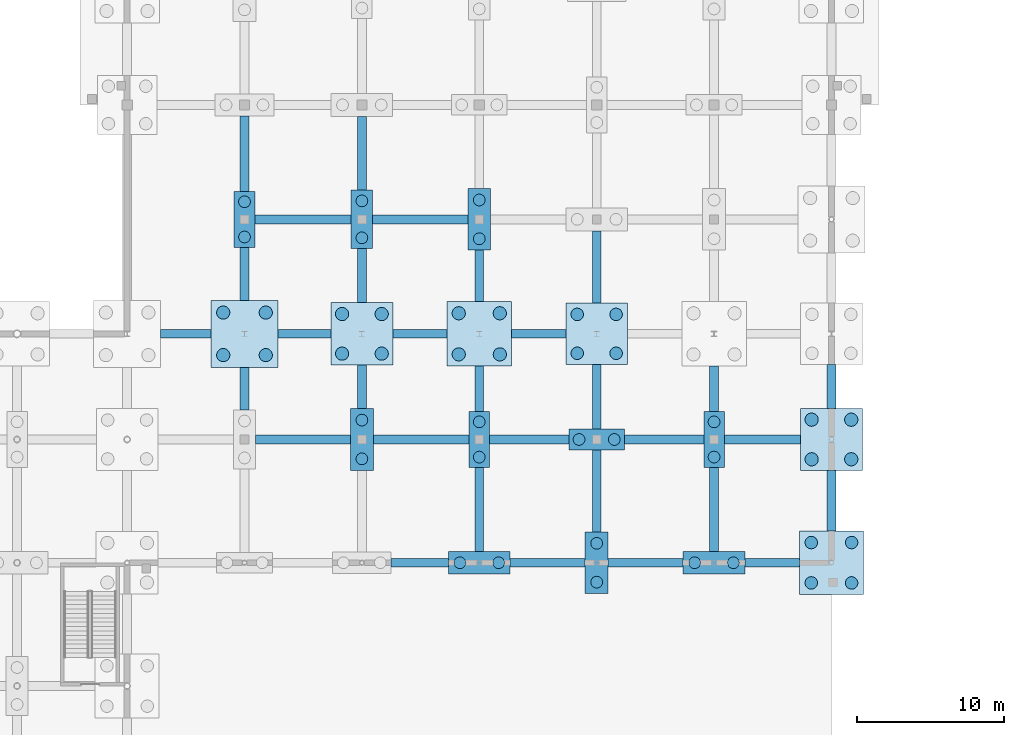
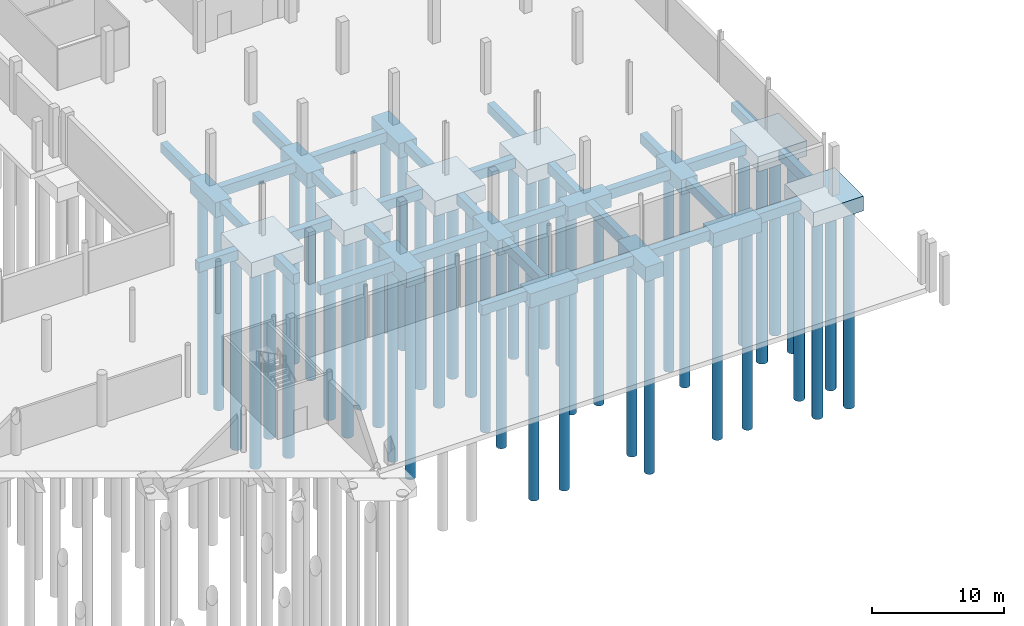
# One storey, part 4 of 44: 47 footings, 44 piles.
"""IFC4 building model written with IfcOpenShell, lengths in metres."""

from ifc_helpers import new_model, si_unit, direction, frame, origin, origin_2d, place, context, subcontext, project, spatial, polyline, rectangle, circle, outline, extrude, material, material_profile, profile_set, type_object, element, save


model = new_model("IFC4")

# Units and contexts
model_context = context("Model", 3, precision=1e-05, world=origin(), true_north=direction((0.0, 1.0)))
body_context = subcontext(model_context, "Body", "Model", "MODEL_VIEW")
ifc_project = project(units=[si_unit("LENGTHUNIT", "METRE"), si_unit("AREAUNIT", "SQUARE_METRE"), si_unit("VOLUMEUNIT", "CUBIC_METRE"), si_unit("PLANEANGLEUNIT", "RADIAN"), si_unit("MASSUNIT", "GRAM", prefix="KILO")], contexts=[model_context])

# Site, building, storey
site_placement = place(None, origin())
site = spatial("IfcSite", under=ifc_project, at=site_placement, CompositionType="ELEMENT")
building_placement = place(site_placement, origin())
building = spatial("IfcBuilding", under=site, at=building_placement, Name="Yukiwa Park Conservatory and Herbarium", CompositionType="ELEMENT")
storey_placement = place(building_placement, frame((0.0, 0.0, -4.800048828125)))
storey = spatial("IfcBuildingStorey", under=building, at=storey_placement, Name="B1", CompositionType="ELEMENT", Elevation=-4.800048828125)

# Footings
ifc_material_1 = material(Name="Concrete C35", Category="concrete")
footing_type_1 = type_object("IfcFootingType", Name="FT-BEAM-600X900", PredefinedType="FOOTING_BEAM", material=ifc_material_1)
footing_1_placement = place(storey_placement, frame((0.0, 0.0, -1.349853515625)))
element("IfcFooting", 1, at=footing_1_placement, inside=storey, type_object=footing_type_1, Name="Foundation tie beam X-27", PredefinedType="FOOTING_BEAM", context=body_context, shape_type="SweptSolid", body=[
    extrude(outline(polyline([(78.0, 15.300048828125), (81.89990234375, 15.300048828125), (81.89990234375, 15.89990234375), (78.0, 15.89990234375), (78.0, 15.300048828125)])), origin(), (0.0, 0.0, 1.0), 0.89990234375),
])
footing_2_placement = place(storey_placement, frame((0.0, 0.0, -1.349853515625)))
element("IfcFooting", 2, at=footing_2_placement, inside=storey, type_object=footing_type_1, Name="Foundation tie beam X-28", PredefinedType="FOOTING_BEAM", context=body_context, shape_type="SweptSolid", body=[
    extrude(outline(polyline([(86.10009765625, 15.300048828125), (91.219970703125, 15.300048828125), (91.219970703125, 15.89990234375), (86.10009765625, 15.89990234375), (86.10009765625, 15.300048828125)])), origin(), (0.0, 0.0, 1.0), 0.89990234375),
])
footing_3_placement = place(storey_placement, frame((0.0, 0.0, -1.349853515625)))
element("IfcFooting", 3, at=footing_3_placement, inside=storey, type_object=footing_type_1, Name="Foundation tie beam X-29", PredefinedType="FOOTING_BEAM", context=body_context, shape_type="SweptSolid", body=[
    extrude(outline(polyline([(92.780029296875, 15.300048828125), (97.89990234375, 15.300048828125), (97.89990234375, 15.89990234375), (92.780029296875, 15.89990234375), (92.780029296875, 15.300048828125)])), origin(), (0.0, 0.0, 1.0), 0.89990234375),
])
footing_4_placement = place(storey_placement, frame((0.0, 0.0, -1.349853515625)))
element("IfcFooting", 4, at=footing_4_placement, inside=storey, type_object=footing_type_1, Name="Foundation tie beam X-30", PredefinedType="FOOTING_BEAM", context=body_context, shape_type="SweptSolid", body=[
    extrude(outline(polyline([(102.10009765625, 15.300048828125), (105.820068359375, 15.300048828125), (105.820068359375, 15.89990234375), (102.10009765625, 15.89990234375), (102.10009765625, 15.300048828125)])), origin(), (0.0, 0.0, 1.0), 0.89990234375),
])
footing_5_placement = place(storey_placement, frame((0.0, 0.0, -1.349853515625)))
element("IfcFooting", 5, at=footing_5_placement, inside=storey, type_object=footing_type_1, Name="Foundation tie beam X-40", PredefinedType="FOOTING_BEAM", context=body_context, shape_type="SweptSolid", body=[
    extrude(outline(polyline([(68.739990234375, 23.699951171875), (75.219970703125, 23.699951171875), (75.219970703125, 24.300048828125), (68.739990234375, 24.300048828125), (68.739990234375, 23.699951171875)])), origin(), (0.0, 0.0, 1.0), 0.89990234375),
])
footing_6_placement = place(storey_placement, frame((0.0, 0.0, -1.349853515625)))
element("IfcFooting", 6, at=footing_6_placement, inside=storey, type_object=footing_type_1, Name="Foundation tie beam X-41", PredefinedType="FOOTING_BEAM", context=body_context, shape_type="SweptSolid", body=[
    extrude(outline(polyline([(76.780029296875, 23.699951171875), (83.300048828125, 23.699951171875), (83.300048828125, 24.300048828125), (76.780029296875, 24.300048828125), (76.780029296875, 23.699951171875)])), origin(), (0.0, 0.0, 1.0), 0.89990234375),
])
footing_7_placement = place(storey_placement, frame((0.0, 0.0, -1.349853515625)))
element("IfcFooting", 7, at=footing_7_placement, inside=storey, type_object=footing_type_1, Name="Foundation tie beam X-42", PredefinedType="FOOTING_BEAM", context=body_context, shape_type="SweptSolid", body=[
    extrude(outline(polyline([(84.699951171875, 23.699951171875), (90.10009765625, 23.699951171875), (90.10009765625, 24.300048828125), (84.699951171875, 24.300048828125), (84.699951171875, 23.699951171875)])), origin(), (0.0, 0.0, 1.0), 0.89990234375),
])
footing_8_placement = place(storey_placement, frame((0.0, 0.0, -1.349853515625)))
element("IfcFooting", 8, at=footing_8_placement, inside=storey, type_object=footing_type_1, Name="Foundation tie beam X-43", PredefinedType="FOOTING_BEAM", context=body_context, shape_type="SweptSolid", body=[
    extrude(outline(polyline([(93.89990234375, 23.699951171875), (99.300048828125, 23.699951171875), (99.300048828125, 24.300048828125), (93.89990234375, 24.300048828125), (93.89990234375, 23.699951171875)])), origin(), (0.0, 0.0, 1.0), 0.89990234375),
])
footing_9_placement = place(storey_placement, frame((0.0, 0.0, -1.349853515625)))
element("IfcFooting", 9, at=footing_9_placement, inside=storey, type_object=footing_type_1, Name="Foundation tie beam X-44", PredefinedType="FOOTING_BEAM", context=body_context, shape_type="SweptSolid", body=[
    extrude(outline(polyline([(100.699951171875, 23.699951171875), (105.8798828125, 23.699951171875), (105.8798828125, 24.300048828125), (100.699951171875, 24.300048828125), (100.699951171875, 23.699951171875)])), origin(), (0.0, 0.0, 1.0), 0.89990234375),
])
footing_10_placement = place(storey_placement, frame((0.0, 0.0, -1.349853515625)))
element("IfcFooting", 10, at=footing_10_placement, inside=storey, type_object=footing_type_1, Name="Foundation tie beam X-53", PredefinedType="FOOTING_BEAM", context=body_context, shape_type="SweptSolid", body=[
    extrude(outline(polyline([(62.280029296875, 30.89990234375), (65.719970703125, 30.89990234375), (65.719970703125, 31.5), (62.280029296875, 31.5), (62.280029296875, 30.89990234375)])), origin(), (0.0, 0.0, 1.0), 0.89990234375),
])
footing_11_placement = place(storey_placement, frame((0.0, 0.0, -1.349853515625)))
element("IfcFooting", 11, at=footing_11_placement, inside=storey, type_object=footing_type_1, Name="Foundation tie beam X-54", PredefinedType="FOOTING_BEAM", context=body_context, shape_type="SweptSolid", body=[
    extrude(outline(polyline([(70.280029296875, 30.89990234375), (73.8798828125, 30.89990234375), (73.8798828125, 31.5), (70.280029296875, 31.5), (70.280029296875, 30.89990234375)])), origin(), (0.0, 0.0, 1.0), 0.89990234375),
])
footing_12_placement = place(storey_placement, frame((0.0, 0.0, -1.349853515625)))
element("IfcFooting", 12, at=footing_12_placement, inside=storey, type_object=footing_type_1, Name="Foundation tie beam X-55", PredefinedType="FOOTING_BEAM", context=body_context, shape_type="SweptSolid", body=[
    extrude(outline(polyline([(78.1201171875, 30.89990234375), (81.800048828125, 30.89990234375), (81.800048828125, 31.5), (78.1201171875, 31.5), (78.1201171875, 30.89990234375)])), origin(), (0.0, 0.0, 1.0), 0.89990234375),
])
footing_13_placement = place(storey_placement, frame((0.0, 0.0, -1.349853515625)))
element("IfcFooting", 13, at=footing_13_placement, inside=storey, type_object=footing_type_1, Name="Foundation tie beam X-56", PredefinedType="FOOTING_BEAM", context=body_context, shape_type="SweptSolid", body=[
    extrude(outline(polyline([(86.199951171875, 30.89990234375), (89.89990234375, 30.89990234375), (89.89990234375, 31.5), (86.199951171875, 31.5), (86.199951171875, 30.89990234375)])), origin(), (0.0, 0.0, 1.0), 0.89990234375),
])
footing_14_placement = place(storey_placement, frame((0.0, 0.0, -1.349853515625)))
element("IfcFooting", 14, at=footing_14_placement, inside=storey, type_object=footing_type_1, Name="Foundation tie beam X-59", PredefinedType="FOOTING_BEAM", context=body_context, shape_type="SweptSolid", body=[
    extrude(outline(polyline([(68.699951171875, 38.699951171875), (75.260009765625, 38.699951171875), (75.260009765625, 39.300048828125), (68.699951171875, 39.300048828125), (68.699951171875, 38.699951171875)])), origin(), (0.0, 0.0, 1.0), 0.89990234375),
])
footing_15_placement = place(storey_placement, frame((0.0, 0.0, -1.349853515625)))
element("IfcFooting", 15, at=footing_15_placement, inside=storey, type_object=footing_type_1, Name="Foundation tie beam X-60", PredefinedType="FOOTING_BEAM", context=body_context, shape_type="SweptSolid", body=[
    extrude(outline(polyline([(76.739990234375, 38.699951171875), (83.219970703125, 38.699951171875), (83.219970703125, 39.300048828125), (76.739990234375, 39.300048828125), (76.739990234375, 38.699951171875)])), origin(), (0.0, 0.0, 1.0), 0.89990234375),
])
footing_16_placement = place(storey_placement, frame((0.0, 0.0, -1.349853515625)))
element("IfcFooting", 16, at=footing_16_placement, inside=storey, type_object=footing_type_1, Name="Foundation tie beam Y-230", PredefinedType="FOOTING_BEAM", context=body_context, shape_type="SweptSolid", body=[
    extrude(outline(polyline([(67.699951171875, 26.0), (68.300048828125, 26.0), (68.300048828125, 28.919921875), (67.699951171875, 28.919921875), (67.699951171875, 26.0)])), origin(), (0.0, 0.0, 1.0), 0.89990234375),
])
footing_17_placement = place(storey_placement, frame((0.0, 0.0, -1.349853515625)))
element("IfcFooting", 17, at=footing_17_placement, inside=storey, type_object=footing_type_1, Name="Foundation tie beam Y-231", PredefinedType="FOOTING_BEAM", context=body_context, shape_type="SweptSolid", body=[
    extrude(outline(polyline([(67.699951171875, 33.47998046875), (68.300048828125, 33.47998046875), (68.300048828125, 37.10009765625), (67.699951171875, 37.10009765625), (67.699951171875, 33.47998046875)])), origin(), (0.0, 0.0, 1.0), 0.89990234375),
])
footing_18_placement = place(storey_placement, frame((0.0, 0.0, -1.349853515625)))
element("IfcFooting", 18, at=footing_18_placement, inside=storey, type_object=footing_type_1, Name="Foundation tie beam Y-232", PredefinedType="FOOTING_BEAM", context=body_context, shape_type="SweptSolid", body=[
    extrude(outline(polyline([(67.699951171875, 40.89990234375), (68.300048828125, 40.89990234375), (68.300048828125, 46.06005859375), (67.699951171875, 46.06005859375), (67.699951171875, 40.89990234375)])), origin(), (0.0, 0.0, 1.0), 0.89990234375),
])
footing_19_placement = place(storey_placement, frame((0.0, 0.0, -1.349853515625)))
element("IfcFooting", 19, at=footing_19_placement, inside=storey, type_object=footing_type_1, Name="Foundation tie beam Y-239", PredefinedType="FOOTING_BEAM", context=body_context, shape_type="SweptSolid", body=[
    extrude(outline(polyline([(75.699951171875, 26.10009765625), (76.300048828125, 26.10009765625), (76.300048828125, 29.080078125), (75.699951171875, 29.080078125), (75.699951171875, 26.10009765625)])), origin(), (0.0, 0.0, 1.0), 0.89990234375),
])
footing_20_placement = place(storey_placement, frame((0.0, 0.0, -1.349853515625)))
element("IfcFooting", 20, at=footing_20_placement, inside=storey, type_object=footing_type_1, Name="Foundation tie beam Y-240", PredefinedType="FOOTING_BEAM", context=body_context, shape_type="SweptSolid", body=[
    extrude(outline(polyline([(75.699951171875, 33.320068359375), (76.300048828125, 33.320068359375), (76.300048828125, 37.0), (75.699951171875, 37.0), (75.699951171875, 33.320068359375)])), origin(), (0.0, 0.0, 1.0), 0.89990234375),
])
footing_21_placement = place(storey_placement, frame((0.0, 0.0, -1.349853515625)))
element("IfcFooting", 21, at=footing_21_placement, inside=storey, type_object=footing_type_1, Name="Foundation tie beam Y-241", PredefinedType="FOOTING_BEAM", context=body_context, shape_type="SweptSolid", body=[
    extrude(outline(polyline([(75.699951171875, 41.0), (76.300048828125, 41.0), (76.300048828125, 46.02001953125), (75.699951171875, 46.02001953125), (75.699951171875, 41.0)])), origin(), (0.0, 0.0, 1.0), 0.89990234375),
])
footing_22_placement = place(storey_placement, frame((0.0, 0.0, -1.349853515625)))
element("IfcFooting", 22, at=footing_22_placement, inside=storey, type_object=footing_type_1, Name="Foundation tie beam Y-247", PredefinedType="FOOTING_BEAM", context=body_context, shape_type="SweptSolid", body=[
    extrude(outline(polyline([(83.699951171875, 16.3798828125), (84.300048828125, 16.3798828125), (84.300048828125, 22.10009765625), (83.699951171875, 22.10009765625), (83.699951171875, 16.3798828125)])), origin(), (0.0, 0.0, 1.0), 0.89990234375),
])
footing_23_placement = place(storey_placement, frame((0.0, 0.0, -1.349853515625)))
element("IfcFooting", 23, at=footing_23_placement, inside=storey, type_object=footing_type_1, Name="Foundation tie beam Y-248", PredefinedType="FOOTING_BEAM", context=body_context, shape_type="SweptSolid", body=[
    extrude(outline(polyline([(83.699951171875, 25.89990234375), (84.300048828125, 25.89990234375), (84.300048828125, 29.0), (83.699951171875, 29.0), (83.699951171875, 25.89990234375)])), origin(), (0.0, 0.0, 1.0), 0.89990234375),
])
footing_24_placement = place(storey_placement, frame((0.0, 0.0, -1.349853515625)))
element("IfcFooting", 24, at=footing_24_placement, inside=storey, type_object=footing_type_1, Name="Foundation tie beam Y-249", PredefinedType="FOOTING_BEAM", context=body_context, shape_type="SweptSolid", body=[
    extrude(outline(polyline([(83.699951171875, 33.39990234375), (84.300048828125, 33.39990234375), (84.300048828125, 36.89990234375), (83.699951171875, 36.89990234375), (83.699951171875, 33.39990234375)])), origin(), (0.0, 0.0, 1.0), 0.89990234375),
])
footing_25_placement = place(storey_placement, frame((0.0, 0.0, -1.349853515625)))
element("IfcFooting", 25, at=footing_25_placement, inside=storey, type_object=footing_type_1, Name="Foundation tie beam Y-255", PredefinedType="FOOTING_BEAM", context=body_context, shape_type="SweptSolid", body=[
    extrude(outline(polyline([(91.699951171875, 17.699951171875), (92.300048828125, 17.699951171875), (92.300048828125, 23.300048828125), (91.699951171875, 23.300048828125), (91.699951171875, 17.699951171875)])), origin(), (0.0, 0.0, 1.0), 0.89990234375),
])
footing_26_placement = place(storey_placement, frame((0.0, 0.0, -1.349853515625)))
element("IfcFooting", 26, at=footing_26_placement, inside=storey, type_object=footing_type_1, Name="Foundation tie beam Y-256", PredefinedType="FOOTING_BEAM", context=body_context, shape_type="SweptSolid", body=[
    extrude(outline(polyline([(91.699951171875, 24.699951171875), (92.300048828125, 24.699951171875), (92.300048828125, 29.10009765625), (91.699951171875, 29.10009765625), (91.699951171875, 24.699951171875)])), origin(), (0.0, 0.0, 1.0), 0.89990234375),
])
footing_27_placement = place(storey_placement, frame((0.0, 0.0, -1.349853515625)))
element("IfcFooting", 27, at=footing_27_placement, inside=storey, type_object=footing_type_1, Name="Foundation tie beam Y-257", PredefinedType="FOOTING_BEAM", context=body_context, shape_type="SweptSolid", body=[
    extrude(outline(polyline([(91.699951171875, 33.300048828125), (92.300048828125, 33.300048828125), (92.300048828125, 38.219970703125), (91.699951171875, 38.219970703125), (91.699951171875, 33.300048828125)])), origin(), (0.0, 0.0, 1.0), 0.89990234375),
])
footing_28_placement = place(storey_placement, frame((0.0, 0.0, -1.349853515625)))
element("IfcFooting", 28, at=footing_28_placement, inside=storey, type_object=footing_type_1, Name="Foundation tie beam Y-263", PredefinedType="FOOTING_BEAM", context=body_context, shape_type="SweptSolid", body=[
    extrude(outline(polyline([(99.699951171875, 16.3798828125), (100.300048828125, 16.3798828125), (100.300048828125, 22.10009765625), (99.699951171875, 22.10009765625), (99.699951171875, 16.3798828125)])), origin(), (0.0, 0.0, 1.0), 0.89990234375),
])
footing_29_placement = place(storey_placement, frame((0.0, 0.0, -1.349853515625)))
element("IfcFooting", 29, at=footing_29_placement, inside=storey, type_object=footing_type_1, Name="Foundation tie beam Y-264", PredefinedType="FOOTING_BEAM", context=body_context, shape_type="SweptSolid", body=[
    extrude(outline(polyline([(99.699951171875, 25.89990234375), (100.300048828125, 25.89990234375), (100.300048828125, 29.0), (99.699951171875, 29.0), (99.699951171875, 25.89990234375)])), origin(), (0.0, 0.0, 1.0), 0.89990234375),
])
footing_30_placement = place(storey_placement, frame((0.0, 0.0, -1.349853515625)))
element("IfcFooting", 30, at=footing_30_placement, inside=storey, type_object=footing_type_1, Name="Foundation tie beam Y-271", PredefinedType="FOOTING_BEAM", context=body_context, shape_type="SweptSolid", body=[
    extrude(outline(polyline([(107.699951171875, 17.780029296875), (108.300048828125, 17.780029296875), (108.300048828125, 21.8798828125), (107.699951171875, 21.8798828125), (107.699951171875, 17.780029296875)])), origin(), (0.0, 0.0, 1.0), 0.89990234375),
])
footing_31_placement = place(storey_placement, frame((0.0, 0.0, -1.349853515625)))
element("IfcFooting", 31, at=footing_31_placement, inside=storey, type_object=footing_type_1, Name="Foundation tie beam Y-272", PredefinedType="FOOTING_BEAM", context=body_context, shape_type="SweptSolid", body=[
    extrude(outline(polyline([(107.699951171875, 26.1201171875), (108.300048828125, 26.1201171875), (108.300048828125, 29.10009765625), (107.699951171875, 29.10009765625), (107.699951171875, 26.1201171875)])), origin(), (0.0, 0.0, 1.0), 0.89990234375),
])
ifc_material_2 = material(Name="Concrete C35", Category="concrete")
footing_type_2 = type_object("IfcFootingType", Name="FT-PC-1400X3800X1350", PredefinedType="PILE_CAP", material=ifc_material_2)
for number, where, z_axis, x_axis, name in (
    (32, (68.0, 39.0, -1.800048828125), (0.0, 0.0, 1.0), (1.0, 0.0, 0.0), "Reinforced concrete pile cap 88"),
    (33, (84.0, 24.0, -1.800048828125), (0.0, 0.0, 1.0), (1.0, 0.0, 0.0), "Reinforced concrete pile cap 106"),
    (34, (100.0, 24.0, -1.800048828125), (0.0, 0.0, 1.0), (1.0, 0.0, 0.0), "Reinforced concrete pile cap 124"),
):
    element("IfcFooting", number, at=place(storey_placement, frame(where, z_axis=z_axis, x_axis=x_axis)), inside=storey, type_object=footing_type_2, Name=name, PredefinedType="PILE_CAP", context=body_context, shape_type="SweptSolid", body=[
        extrude(rectangle(XDim=1.39990234375, YDim=3.800048828125, at=origin_2d()), origin(), (0.0, 0.0, 1.0), 1.35009765625),
    ])
ifc_material_3 = material(Name="Concrete C35", Category="concrete")
footing_type_3 = type_object("IfcFootingType", Name="FT-PC-1480X4000X1350", PredefinedType="PILE_CAP", material=ifc_material_3)
footing_32_placement = place(storey_placement, frame((76.0, 39.0, -1.800048828125), z_axis=(0.0, 0.0, 1.0), x_axis=(1.0, 0.0, 0.0)))
element("IfcFooting", 35, at=footing_32_placement, inside=storey, type_object=footing_type_3, Name="Reinforced concrete pile cap 98", PredefinedType="PILE_CAP", context=body_context, shape_type="SweptSolid", body=[
    extrude(rectangle(XDim=1.47998046875, YDim=4.0, at=origin_2d()), origin(), (0.0, 0.0, 1.0), 1.35009765625),
])
ifc_material_4 = material(Name="Concrete C35", Category="concrete")
footing_type_4 = type_object("IfcFootingType", Name="FT-PC-1560X4200X1350", PredefinedType="PILE_CAP", material=ifc_material_4)
for number, where, z_axis, x_axis, name in (
    (36, (76.0, 24.0, -1.800048828125), (0.0, 0.0, 1.0), (1.0, 0.0, 0.0), "Reinforced concrete pile cap 96"),
    (37, (84.0, 39.0, -1.800048828125), (0.0, 0.0, 1.0), (1.0, 0.0, 0.0), "Reinforced concrete pile cap 108"),
    (38, (92.0, 15.60009765625, -1.800048828125), (0.0, 0.0, 1.0), (1.0, 0.0, 0.0), "Reinforced concrete pile cap 114"),
):
    element("IfcFooting", number, at=place(storey_placement, frame(where, z_axis=z_axis, x_axis=x_axis)), inside=storey, type_object=footing_type_4, Name=name, PredefinedType="PILE_CAP", context=body_context, shape_type="SweptSolid", body=[
        extrude(rectangle(XDim=1.56005859375, YDim=4.199951171875, at=origin_2d()), origin(), (0.0, 0.0, 1.0), 1.35009765625),
    ])
ifc_material_5 = material(Name="Concrete C35", Category="concrete")
footing_type_5 = type_object("IfcFootingType", Name="FT-PC-3800X1400X1300", PredefinedType="PILE_CAP", material=ifc_material_5)
footing_33_placement = place(storey_placement, frame((92.0, 24.0, -1.75), z_axis=(0.0, 0.0, 1.0), x_axis=(1.0, 0.0, 0.0)))
element("IfcFooting", 39, at=footing_33_placement, inside=storey, type_object=footing_type_5, Name="Reinforced concrete pile cap 115", PredefinedType="PILE_CAP", context=body_context, shape_type="SweptSolid", body=[
    extrude(rectangle(XDim=3.800048828125, YDim=1.39990234375, at=origin_2d()), origin(), (0.0, 0.0, 1.0), 1.300048828125),
])
ifc_material_6 = material(Name="Concrete C35", Category="concrete")
footing_type_6 = type_object("IfcFootingType", Name="FT-PC-4200X1560X1300", PredefinedType="PILE_CAP", material=ifc_material_6)
for number, where, z_axis, x_axis, name in (
    (40, (84.0, 15.60009765625, -1.75), (0.0, 0.0, 1.0), (1.0, 0.0, 0.0), "Reinforced concrete pile cap 105"),
    (41, (100.0, 15.60009765625, -1.75), (0.0, 0.0, 1.0), (1.0, 0.0, 0.0), "Reinforced concrete pile cap 123"),
):
    element("IfcFooting", number, at=place(storey_placement, frame(where, z_axis=z_axis, x_axis=x_axis)), inside=storey, type_object=footing_type_6, Name=name, PredefinedType="PILE_CAP", context=body_context, shape_type="SweptSolid", body=[
        extrude(rectangle(XDim=4.199951171875, YDim=1.56005859375, at=origin_2d()), origin(), (0.0, 0.0, 1.0), 1.300048828125),
    ])
ifc_material_7 = material(Name="Concrete C35", Category="concrete")
footing_type_7 = type_object("IfcFootingType", Name="FT-PC-4200X4200X1350", PredefinedType="PILE_CAP", material=ifc_material_7)
footing_34_placement = place(storey_placement, frame((92.0, 31.199951171875, -1.800048828125), z_axis=(0.0, 0.0, 1.0), x_axis=(1.0, 0.0, 0.0)))
element("IfcFooting", 42, at=footing_34_placement, inside=storey, type_object=footing_type_7, Name="Reinforced concrete pile cap 116", PredefinedType="PILE_CAP", context=body_context, shape_type="SweptSolid", body=[
    extrude(rectangle(XDim=4.199951171875, YDim=4.199951171875, at=origin_2d()), origin(), (0.0, 0.0, 1.0), 1.35009765625),
])
ifc_material_8 = material(Name="Concrete C35", Category="concrete")
footing_type_8 = type_object("IfcFootingType", Name="FT-PC-4240X4240X1400", PredefinedType="PILE_CAP", material=ifc_material_8)
for number, where, z_axis, x_axis, name in (
    (43, (76.0, 31.199951171875, -1.849853515625), (0.0, 0.0, 1.0), (1.0, 0.0, 0.0), "Reinforced concrete pile cap 97"),
    (44, (108.0, 24.0, -1.849853515625), (0.0, 0.0, 1.0), (1.0, 0.0, 0.0), "Reinforced concrete pile cap 133"),
):
    element("IfcFooting", number, at=place(storey_placement, frame(where, z_axis=z_axis, x_axis=x_axis)), inside=storey, type_object=footing_type_8, Name=name, PredefinedType="PILE_CAP", context=body_context, shape_type="SweptSolid", body=[
        extrude(rectangle(XDim=4.239990234375, YDim=4.239990234375, at=origin_2d()), origin(), (0.0, 0.0, 1.0), 1.39990234375),
    ])
ifc_material_9 = material(Name="Concrete C35", Category="concrete")
footing_type_9 = type_object("IfcFootingType", Name="FT-PC-4360X4360X1350", PredefinedType="PILE_CAP", material=ifc_material_9)
footing_35_placement = place(storey_placement, frame((108.0, 15.60009765625, -1.800048828125), z_axis=(0.0, 0.0, 1.0), x_axis=(1.0, 0.0, 0.0)))
element("IfcFooting", 45, at=footing_35_placement, inside=storey, type_object=footing_type_9, Name="Reinforced concrete pile cap 132", PredefinedType="PILE_CAP", context=body_context, shape_type="SweptSolid", body=[
    extrude(rectangle(XDim=4.360107421875, YDim=4.360107421875, at=origin_2d()), origin(), (0.0, 0.0, 1.0), 1.35009765625),
])
ifc_material_10 = material(Name="Concrete C35", Category="concrete")
footing_type_10 = type_object("IfcFootingType", Name="FT-PC-4400X4400X1400", PredefinedType="PILE_CAP", material=ifc_material_10)
footing_36_placement = place(storey_placement, frame((84.0, 31.199951171875, -1.849853515625), z_axis=(0.0, 0.0, 1.0), x_axis=(1.0, 0.0, 0.0)))
element("IfcFooting", 46, at=footing_36_placement, inside=storey, type_object=footing_type_10, Name="Reinforced concrete pile cap 107", PredefinedType="PILE_CAP", context=body_context, shape_type="SweptSolid", body=[
    extrude(rectangle(XDim=4.39990234375, YDim=4.39990234375, at=origin_2d()), origin(), (0.0, 0.0, 1.0), 1.39990234375),
])
ifc_material_11 = material(Name="Concrete C35", Category="concrete")
footing_type_11 = type_object("IfcFootingType", Name="FT-PC-4560X4560X1400", PredefinedType="PILE_CAP", material=ifc_material_11)
footing_37_placement = place(storey_placement, frame((68.0, 31.199951171875, -1.849853515625), z_axis=(0.0, 0.0, 1.0), x_axis=(1.0, 0.0, 0.0)))
element("IfcFooting", 47, at=footing_37_placement, inside=storey, type_object=footing_type_11, Name="Reinforced concrete pile cap 87", PredefinedType="PILE_CAP", context=body_context, shape_type="SweptSolid", body=[
    extrude(rectangle(XDim=4.56005859375, YDim=4.56005859375, at=origin_2d()), origin(), (0.0, 0.0, 1.0), 1.39990234375),
])

# Piles
ifc_material_12 = material(Name="Concrete C35", Category="concrete")
ifc_material_profile_1 = material_profile(ifc_material_12, circle(Radius=0.39990234375, at=origin_2d()), Name="PILE D800")
ifc_profile_set_1 = profile_set([ifc_material_profile_1], Name="Concrete C35")
pile_type_1 = type_object("IfcPileType", Name="PL-BORED-D800", PredefinedType="BORED", material=ifc_profile_set_1)
for number, where, z_axis, x_axis, name in (
    (48, (68.0, 37.800048828125, -1.699951171875), (0.0, 0.0, -1.0), (1.0, 0.0, 0.0), "Bored cast-in-place pile 88.1"),
    (49, (68.0, 40.199951171875, -1.699951171875), (0.0, 0.0, -1.0), (1.0, 0.0, 0.0), "Bored cast-in-place pile 88.2"),
    (50, (76.0, 22.679931640625, -1.699951171875), (0.0, 0.0, -1.0), (1.0, 0.0, 0.0), "Bored cast-in-place pile 96.1"),
    (51, (76.0, 25.320068359375, -1.699951171875), (0.0, 0.0, -1.0), (1.0, 0.0, 0.0), "Bored cast-in-place pile 96.2"),
    (52, (76.0, 37.739990234375, -1.699951171875), (0.0, 0.0, -1.0), (1.0, 0.0, 0.0), "Bored cast-in-place pile 98.1"),
    (53, (76.0, 40.260009765625, -1.699951171875), (0.0, 0.0, -1.0), (1.0, 0.0, 0.0), "Bored cast-in-place pile 98.2"),
):
    element("IfcPile", number, at=place(storey_placement, frame(where, z_axis=z_axis, x_axis=x_axis)), inside=storey, type_object=pile_type_1, Name=name, PredefinedType="BORED", context=body_context, shape_type="SweptSolid", body=[
        extrude(circle(Radius=0.39990234375, at=origin_2d()), origin(), (0.0, 0.0, 1.0), 18.300048828125),
    ])
for number, where, z_axis, x_axis, name in (
    (54, (82.679931640625, 15.60009765625, -1.64990234375), (0.0, 0.0, -1.0), (1.0, 0.0, 0.0), "Bored cast-in-place pile 105.1"),
    (55, (85.320068359375, 15.60009765625, -1.64990234375), (0.0, 0.0, -1.0), (1.0, 0.0, 0.0), "Bored cast-in-place pile 105.2"),
):
    element("IfcPile", number, at=place(storey_placement, frame(where, z_axis=z_axis, x_axis=x_axis)), inside=storey, type_object=pile_type_1, Name=name, PredefinedType="BORED", context=body_context, shape_type="SweptSolid", body=[
        extrude(circle(Radius=0.39990234375, at=origin_2d()), origin(), (0.0, 0.0, 1.0), 18.35009765625),
    ])
for number, where, z_axis, x_axis, name in (
    (56, (84.0, 22.800048828125, -1.699951171875), (0.0, 0.0, -1.0), (1.0, 0.0, 0.0), "Bored cast-in-place pile 106.1"),
    (57, (84.0, 25.199951171875, -1.699951171875), (0.0, 0.0, -1.0), (1.0, 0.0, 0.0), "Bored cast-in-place pile 106.2"),
    (58, (84.0, 37.679931640625, -1.699951171875), (0.0, 0.0, -1.0), (1.0, 0.0, 0.0), "Bored cast-in-place pile 108.1"),
    (59, (84.0, 40.320068359375, -1.699951171875), (0.0, 0.0, -1.0), (1.0, 0.0, 0.0), "Bored cast-in-place pile 108.2"),
    (60, (92.0, 14.280029296875, -1.699951171875), (0.0, 0.0, -1.0), (1.0, 0.0, 0.0), "Bored cast-in-place pile 114.1"),
    (61, (92.0, 16.919921875, -1.699951171875), (0.0, 0.0, -1.0), (1.0, 0.0, 0.0), "Bored cast-in-place pile 114.2"),
):
    element("IfcPile", number, at=place(storey_placement, frame(where, z_axis=z_axis, x_axis=x_axis)), inside=storey, type_object=pile_type_1, Name=name, PredefinedType="BORED", context=body_context, shape_type="SweptSolid", body=[
        extrude(circle(Radius=0.39990234375, at=origin_2d()), origin(), (0.0, 0.0, 1.0), 18.300048828125),
    ])
for number, where, z_axis, x_axis, name in (
    (62, (90.800048828125, 24.0, -1.64990234375), (0.0, 0.0, -1.0), (1.0, 0.0, 0.0), "Bored cast-in-place pile 115.1"),
    (63, (93.199951171875, 24.0, -1.64990234375), (0.0, 0.0, -1.0), (1.0, 0.0, 0.0), "Bored cast-in-place pile 115.2"),
    (64, (98.679931640625, 15.60009765625, -1.64990234375), (0.0, 0.0, -1.0), (1.0, 0.0, 0.0), "Bored cast-in-place pile 123.1"),
    (65, (101.320068359375, 15.60009765625, -1.64990234375), (0.0, 0.0, -1.0), (1.0, 0.0, 0.0), "Bored cast-in-place pile 123.2"),
):
    element("IfcPile", number, at=place(storey_placement, frame(where, z_axis=z_axis, x_axis=x_axis)), inside=storey, type_object=pile_type_1, Name=name, PredefinedType="BORED", context=body_context, shape_type="SweptSolid", body=[
        extrude(circle(Radius=0.39990234375, at=origin_2d()), origin(), (0.0, 0.0, 1.0), 18.35009765625),
    ])
for number, where, z_axis, x_axis, name in (
    (66, (100.0, 22.800048828125, -1.699951171875), (0.0, 0.0, -1.0), (1.0, 0.0, 0.0), "Bored cast-in-place pile 124.1"),
    (67, (100.0, 25.199951171875, -1.699951171875), (0.0, 0.0, -1.0), (1.0, 0.0, 0.0), "Bored cast-in-place pile 124.2"),
):
    element("IfcPile", number, at=place(storey_placement, frame(where, z_axis=z_axis, x_axis=x_axis)), inside=storey, type_object=pile_type_1, Name=name, PredefinedType="BORED", context=body_context, shape_type="SweptSolid", body=[
        extrude(circle(Radius=0.39990234375, at=origin_2d()), origin(), (0.0, 0.0, 1.0), 18.300048828125),
    ])
ifc_material_13 = material(Name="Concrete C35", Category="concrete")
ifc_material_profile_2 = material_profile(ifc_material_13, circle(Radius=0.425048828125, at=origin_2d()), Name="PILE D850")
ifc_profile_set_2 = profile_set([ifc_material_profile_2], Name="Concrete C35")
pile_type_2 = type_object("IfcPileType", Name="PL-BORED-D850", PredefinedType="BORED", material=ifc_profile_set_2)
for number, where, z_axis, x_axis, name in (
    (68, (90.675048828125, 29.875, -1.699951171875), (0.0, 0.0, -1.0), (1.0, 0.0, 0.0), "Bored cast-in-place pile 116.1"),
    (69, (93.324951171875, 29.875, -1.699951171875), (0.0, 0.0, -1.0), (1.0, 0.0, 0.0), "Bored cast-in-place pile 116.2"),
    (70, (90.675048828125, 32.52490234375, -1.699951171875), (0.0, 0.0, -1.0), (1.0, 0.0, 0.0), "Bored cast-in-place pile 116.3"),
    (71, (93.324951171875, 32.52490234375, -1.699951171875), (0.0, 0.0, -1.0), (1.0, 0.0, 0.0), "Bored cast-in-place pile 116.4"),
    (72, (106.625, 14.22509765625, -1.699951171875), (0.0, 0.0, -1.0), (1.0, 0.0, 0.0), "Bored cast-in-place pile 132.1"),
    (73, (109.375, 14.22509765625, -1.699951171875), (0.0, 0.0, -1.0), (1.0, 0.0, 0.0), "Bored cast-in-place pile 132.2"),
    (74, (106.625, 16.97509765625, -1.699951171875), (0.0, 0.0, -1.0), (1.0, 0.0, 0.0), "Bored cast-in-place pile 132.3"),
    (75, (109.375, 16.97509765625, -1.699951171875), (0.0, 0.0, -1.0), (1.0, 0.0, 0.0), "Bored cast-in-place pile 132.4"),
):
    element("IfcPile", number, at=place(storey_placement, frame(where, z_axis=z_axis, x_axis=x_axis)), inside=storey, type_object=pile_type_2, Name=name, PredefinedType="BORED", context=body_context, shape_type="SweptSolid", body=[
        extrude(circle(Radius=0.425048828125, at=origin_2d()), origin(), (0.0, 0.0, 1.0), 18.300048828125),
    ])
ifc_material_14 = material(Name="Concrete C35", Category="concrete")
ifc_material_profile_3 = material_profile(ifc_material_14, circle(Radius=0.449951171875, at=origin_2d()), Name="PILE D900")
ifc_profile_set_3 = profile_set([ifc_material_profile_3], Name="Concrete C35")
pile_type_3 = type_object("IfcPileType", Name="PL-BORED-D900", PredefinedType="BORED", material=ifc_profile_set_3)
for number, where, z_axis, x_axis, name in (
    (76, (66.550048828125, 29.75, -1.75), (0.0, 0.0, -1.0), (1.0, 0.0, 0.0), "Bored cast-in-place pile 87.1"),
    (77, (69.449951171875, 29.75, -1.75), (0.0, 0.0, -1.0), (1.0, 0.0, 0.0), "Bored cast-in-place pile 87.2"),
    (78, (66.550048828125, 32.64990234375, -1.75), (0.0, 0.0, -1.0), (1.0, 0.0, 0.0), "Bored cast-in-place pile 87.3"),
    (79, (69.449951171875, 32.64990234375, -1.75), (0.0, 0.0, -1.0), (1.0, 0.0, 0.0), "Bored cast-in-place pile 87.4"),
    (80, (74.64990234375, 29.85009765625, -1.75), (0.0, 0.0, -1.0), (1.0, 0.0, 0.0), "Bored cast-in-place pile 97.1"),
    (81, (77.35009765625, 29.85009765625, -1.75), (0.0, 0.0, -1.0), (1.0, 0.0, 0.0), "Bored cast-in-place pile 97.2"),
    (82, (74.64990234375, 32.550048828125, -1.75), (0.0, 0.0, -1.0), (1.0, 0.0, 0.0), "Bored cast-in-place pile 97.3"),
    (83, (77.35009765625, 32.550048828125, -1.75), (0.0, 0.0, -1.0), (1.0, 0.0, 0.0), "Bored cast-in-place pile 97.4"),
    (84, (82.60009765625, 29.800048828125, -1.75), (0.0, 0.0, -1.0), (1.0, 0.0, 0.0), "Bored cast-in-place pile 107.1"),
    (85, (85.39990234375, 29.800048828125, -1.75), (0.0, 0.0, -1.0), (1.0, 0.0, 0.0), "Bored cast-in-place pile 107.2"),
    (86, (82.60009765625, 32.60009765625, -1.75), (0.0, 0.0, -1.0), (1.0, 0.0, 0.0), "Bored cast-in-place pile 107.3"),
    (87, (85.39990234375, 32.60009765625, -1.75), (0.0, 0.0, -1.0), (1.0, 0.0, 0.0), "Bored cast-in-place pile 107.4"),
    (88, (106.64990234375, 22.64990234375, -1.75), (0.0, 0.0, -1.0), (1.0, 0.0, 0.0), "Bored cast-in-place pile 133.1"),
    (89, (109.35009765625, 22.64990234375, -1.75), (0.0, 0.0, -1.0), (1.0, 0.0, 0.0), "Bored cast-in-place pile 133.2"),
    (90, (106.64990234375, 25.35009765625, -1.75), (0.0, 0.0, -1.0), (1.0, 0.0, 0.0), "Bored cast-in-place pile 133.3"),
    (91, (109.35009765625, 25.35009765625, -1.75), (0.0, 0.0, -1.0), (1.0, 0.0, 0.0), "Bored cast-in-place pile 133.4"),
):
    element("IfcPile", number, at=place(storey_placement, frame(where, z_axis=z_axis, x_axis=x_axis)), inside=storey, type_object=pile_type_3, Name=name, PredefinedType="BORED", context=body_context, shape_type="SweptSolid", body=[
        extrude(circle(Radius=0.449951171875, at=origin_2d()), origin(), (0.0, 0.0, 1.0), 18.25),
    ])

save(model, "model.ifc")
